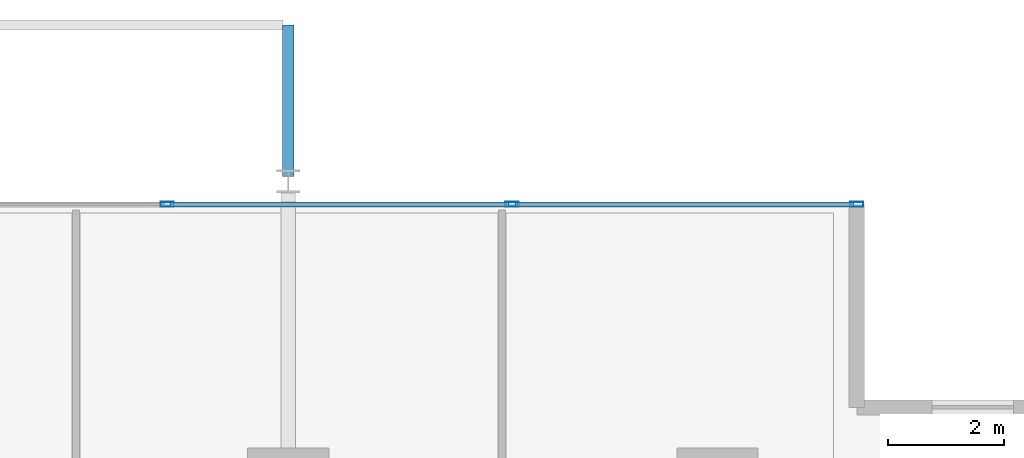
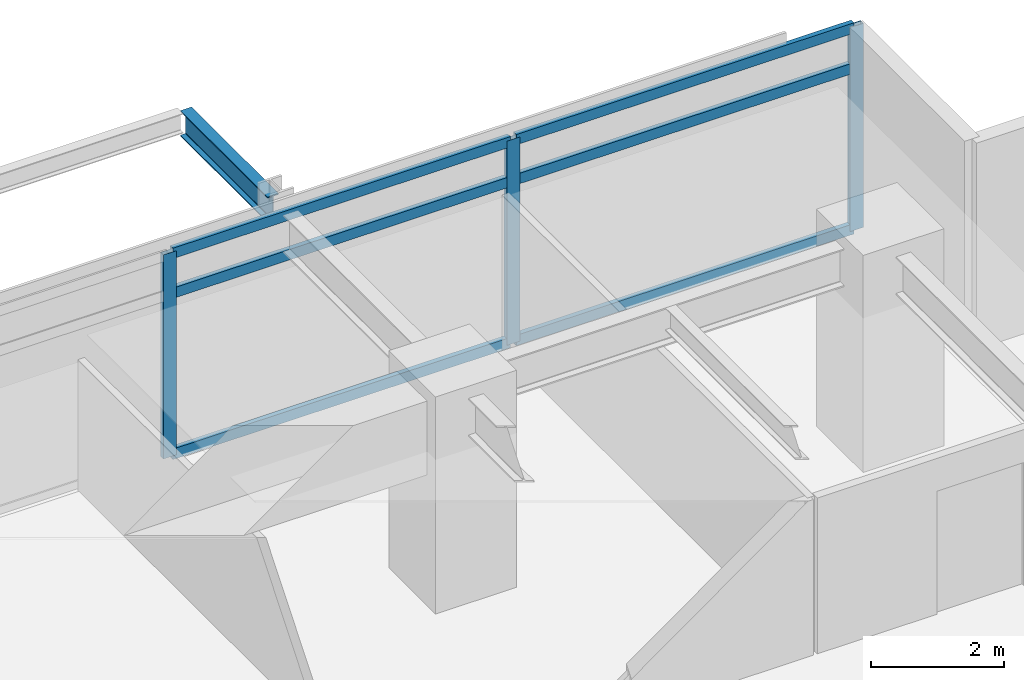
# One storey, part 12 of 21: 9 members, 1 beam, 1 element without a shape of its own.
"""IFC4 building model written with IfcOpenShell, lengths in metres."""

from ifc_helpers import new_model, si_unit, direction, frame, origin, origin_2d, place, context, subcontext, project, spatial, hollow_rectangle, i_section, extrude, material, material_profile, profile_set, type_object, element, aggregate, save


model = new_model("IFC4")

# Units and contexts
model_context = context("Model", 3, precision=1e-05, world=origin(), true_north=direction((0.0, 1.0)))
body_context = subcontext(model_context, "Body", "Model", "MODEL_VIEW")
ifc_project = project(units=[si_unit("LENGTHUNIT", "METRE"), si_unit("AREAUNIT", "SQUARE_METRE"), si_unit("VOLUMEUNIT", "CUBIC_METRE"), si_unit("PLANEANGLEUNIT", "RADIAN"), si_unit("MASSUNIT", "GRAM", prefix="KILO")], contexts=[model_context])

# Site, building, storey
site_placement = place(None, origin())
site = spatial("IfcSite", under=ifc_project, at=site_placement, CompositionType="ELEMENT")
building_placement = place(site_placement, origin())
building = spatial("IfcBuilding", under=site, at=building_placement, Name="Kovane Verandah Tower", CompositionType="ELEMENT")
storey_placement = place(building_placement, frame((0.0, 0.0, 205.199951171875)))
storey = spatial("IfcBuildingStorey", under=building, at=storey_placement, Name="L47", CompositionType="ELEMENT", Elevation=205.199951171875)

# Curtain wall, members
ifc_material_1 = material(Name="Champagne Anodised Aluminium Frame with Low-E Clear Laminated Glass", Category="aluminium")
curtain_wall_type = type_object("IfcCurtainWallType", Name="CW-SYS-03-MID", PredefinedType="NOTDEFINED", material=ifc_material_1)
curtain_wall_placement = place(storey_placement, origin())
curtain_wall = element("IfcCurtainWall", 1, at=curtain_wall_placement, inside=storey, type_object=curtain_wall_type, Name="L47 N Unitised Curtain Wall", PredefinedType="NOTDEFINED")
ifc_material_2 = material(Name="Champagne Anodised Aluminium 6063-T6", Category="aluminium")
ifc_material_profile_1 = material_profile(ifc_material_2, hollow_rectangle(XDim=0.0849609375, YDim=0.22998046875, WallThickness=0.00390625, at=origin_2d()), Name="AL85x230x4")
ifc_profile_set_1 = profile_set([ifc_material_profile_1], Name="Champagne Anodised Aluminium 6063-T6")
member_type_1 = type_object("IfcMemberType", Name="CW-MUL-85x230", PredefinedType="MULLION", material=ifc_profile_set_1)
member_1_placement = place(storey_placement, frame((60.800048828125, 49.10009765625, 0.02001953125), z_axis=(0.0, 0.0, 1.0), x_axis=(0.0, 1.0, 0.0)))
member_1 = element("IfcMember", 2, at=member_1_placement, type_object=member_type_1, Name="L47 N Unitised Curtain Wall Mullion 1", PredefinedType="MULLION", context=body_context, shape_type="SweptSolid", body=[
    extrude(hollow_rectangle(XDim=0.0849609375, YDim=0.22998046875, WallThickness=0.00390625, at=origin_2d()), origin(), (0.0, 0.0, 1.0), 3.735107421875),
])
member_2_placement = place(storey_placement, frame((54.857177734375, 49.10009765625, 0.02001953125), z_axis=(0.0, 0.0, 1.0), x_axis=(0.0, 1.0, 0.0)))
member_2 = element("IfcMember", 3, at=member_2_placement, type_object=member_type_1, Name="L47 N Unitised Curtain Wall Mullion 2", PredefinedType="MULLION", context=body_context, shape_type="SweptSolid", body=[
    extrude(hollow_rectangle(XDim=0.0849609375, YDim=0.22998046875, WallThickness=0.00390625, at=origin_2d()), origin(), (0.0, 0.0, 1.0), 3.735107421875),
])
member_3_placement = place(storey_placement, frame((48.914306640625, 49.10009765625, 0.02001953125), z_axis=(0.0, 0.0, 1.0), x_axis=(0.0, 1.0, 0.0)))
member_3 = element("IfcMember", 4, at=member_3_placement, type_object=member_type_1, Name="L47 N Unitised Curtain Wall Mullion 3", PredefinedType="MULLION", context=body_context, shape_type="SweptSolid", body=[
    extrude(hollow_rectangle(XDim=0.0849609375, YDim=0.22998046875, WallThickness=0.00390625, at=origin_2d()), origin(), (0.0, 0.0, 1.0), 3.735107421875),
])
ifc_material_profile_2 = material_profile(ifc_material_2, hollow_rectangle(XDim=0.0849609375, YDim=0.18994140625, WallThickness=0.00390625, at=origin_2d()), Name="AL85x190x4")
ifc_profile_set_2 = profile_set([ifc_material_profile_2], Name="Champagne Anodised Aluminium 6063-T6")
member_type_2 = type_object("IfcMemberType", Name="CW-TRN-85x190", PredefinedType="USERDEFINED", material=ifc_profile_set_2)
member_4_placement = place(storey_placement, frame((60.75, 49.10009765625, 0.050048828125), z_axis=(-1.0, 0.0, 0.0), x_axis=(0.0, -1.0, 0.0)))
member_4 = element("IfcMember", 5, at=member_4_placement, type_object=member_type_2, Name="L47 N Unitised Curtain Wall Transom TB Bay 1", ObjectType="TRANSOM", PredefinedType="USERDEFINED", context=body_context, shape_type="SweptSolid", body=[
    extrude(hollow_rectangle(XDim=0.0849609375, YDim=0.18994140625, WallThickness=0.00390625, at=origin_2d()), origin(), (0.0, 0.0, 1.0), 5.843017578125),
])
member_5_placement = place(storey_placement, frame((60.75, 49.10009765625, 2.9951171875), z_axis=(-1.0, 0.0, 0.0), x_axis=(0.0, -1.0, 0.0)))
member_5 = element("IfcMember", 6, at=member_5_placement, type_object=member_type_2, Name="L47 N Unitised Curtain Wall Transom TM Bay 1", ObjectType="TRANSOM", PredefinedType="USERDEFINED", context=body_context, shape_type="SweptSolid", body=[
    extrude(hollow_rectangle(XDim=0.0849609375, YDim=0.18994140625, WallThickness=0.00390625, at=origin_2d()), origin(), (0.0, 0.0, 1.0), 5.843017578125),
])
member_6_placement = place(storey_placement, frame((60.75, 49.10009765625, 3.72509765625), z_axis=(-1.0, 0.0, 0.0), x_axis=(0.0, -1.0, 0.0)))
member_6 = element("IfcMember", 7, at=member_6_placement, type_object=member_type_2, Name="L47 N Unitised Curtain Wall Transom TT Bay 1", ObjectType="TRANSOM", PredefinedType="USERDEFINED", context=body_context, shape_type="SweptSolid", body=[
    extrude(hollow_rectangle(XDim=0.0849609375, YDim=0.18994140625, WallThickness=0.00390625, at=origin_2d()), origin(), (0.0, 0.0, 1.0), 5.843017578125),
])
member_7_placement = place(storey_placement, frame((54.80712890625, 49.10009765625, 0.050048828125), z_axis=(-1.0, 0.0, 0.0), x_axis=(0.0, -1.0, 0.0)))
member_7 = element("IfcMember", 8, at=member_7_placement, type_object=member_type_2, Name="L47 N Unitised Curtain Wall Transom TB Bay 2", ObjectType="TRANSOM", PredefinedType="USERDEFINED", context=body_context, shape_type="SweptSolid", body=[
    extrude(hollow_rectangle(XDim=0.0849609375, YDim=0.18994140625, WallThickness=0.00390625, at=origin_2d()), origin(), (0.0, 0.0, 1.0), 5.8427734375),
])
member_8_placement = place(storey_placement, frame((54.80712890625, 49.10009765625, 2.9951171875), z_axis=(-1.0, 0.0, 0.0), x_axis=(0.0, -1.0, 0.0)))
member_8 = element("IfcMember", 9, at=member_8_placement, type_object=member_type_2, Name="L47 N Unitised Curtain Wall Transom TM Bay 2", ObjectType="TRANSOM", PredefinedType="USERDEFINED", context=body_context, shape_type="SweptSolid", body=[
    extrude(hollow_rectangle(XDim=0.0849609375, YDim=0.18994140625, WallThickness=0.00390625, at=origin_2d()), origin(), (0.0, 0.0, 1.0), 5.8427734375),
])
member_9_placement = place(storey_placement, frame((54.80712890625, 49.10009765625, 3.72509765625), z_axis=(-1.0, 0.0, 0.0), x_axis=(0.0, -1.0, 0.0)))
member_9 = element("IfcMember", 10, at=member_9_placement, type_object=member_type_2, Name="L47 N Unitised Curtain Wall Transom TT Bay 2", ObjectType="TRANSOM", PredefinedType="USERDEFINED", context=body_context, shape_type="SweptSolid", body=[
    extrude(hollow_rectangle(XDim=0.0849609375, YDim=0.18994140625, WallThickness=0.00390625, at=origin_2d()), origin(), (0.0, 0.0, 1.0), 5.8427734375),
])
aggregate(curtain_wall, [member_1, member_2, member_3, member_4, member_5, member_6, member_7, member_8, member_9])

# Beam
ifc_material_3 = material(Name="Steel S355", Category="steel")
ifc_material_profile_3 = material_profile(ifc_material_3, i_section(OverallWidth=0.19287109375, OverallDepth=0.46728515625, WebThickness=0.011474609375, FlangeThickness=0.01953125, FilletRadius=0.01025390625, at=origin_2d()), Name="UB457x191x98")
ifc_profile_set_3 = profile_set([ifc_material_profile_3], Name="Steel S355")
beam_type = type_object("IfcBeamType", Name="JST-UB457x98", PredefinedType="JOIST", material=ifc_profile_set_3)
beam_placement = place(storey_placement, frame((51.0, 49.580078125, 3.5263671875), z_axis=(0.0, 1.0, 0.0), x_axis=(-1.0, 0.0, 0.0)))
element("IfcBeam", 11, at=beam_placement, inside=storey, type_object=beam_type, Name="L47 North Planter Girder 2", PredefinedType="JOIST", context=body_context, shape_type="SweptSolid", body=[
    extrude(i_section(OverallWidth=0.19287109375, OverallDepth=0.46728515625, WebThickness=0.011474609375, FlangeThickness=0.01953125, FilletRadius=0.01025390625, at=origin_2d()), origin(), (0.0, 0.0, 1.0), 2.611572265625),
])

save(model, "model.ifc")
